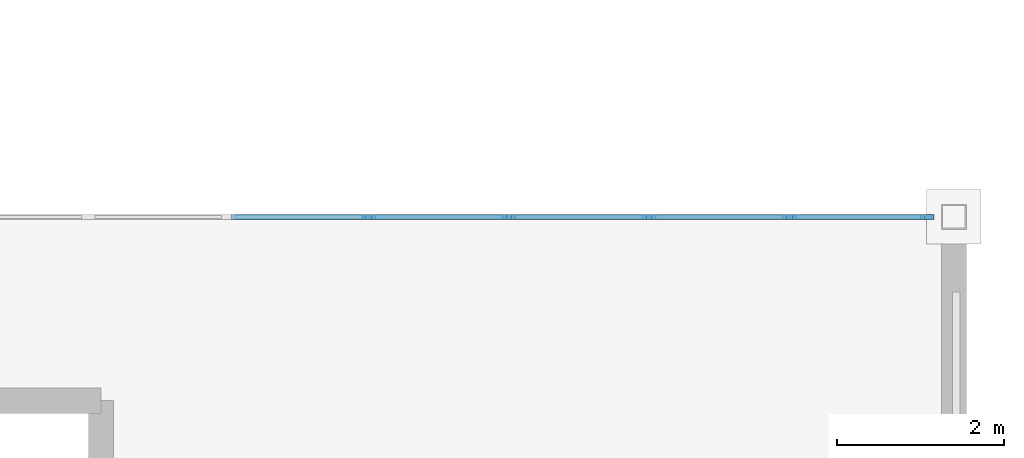
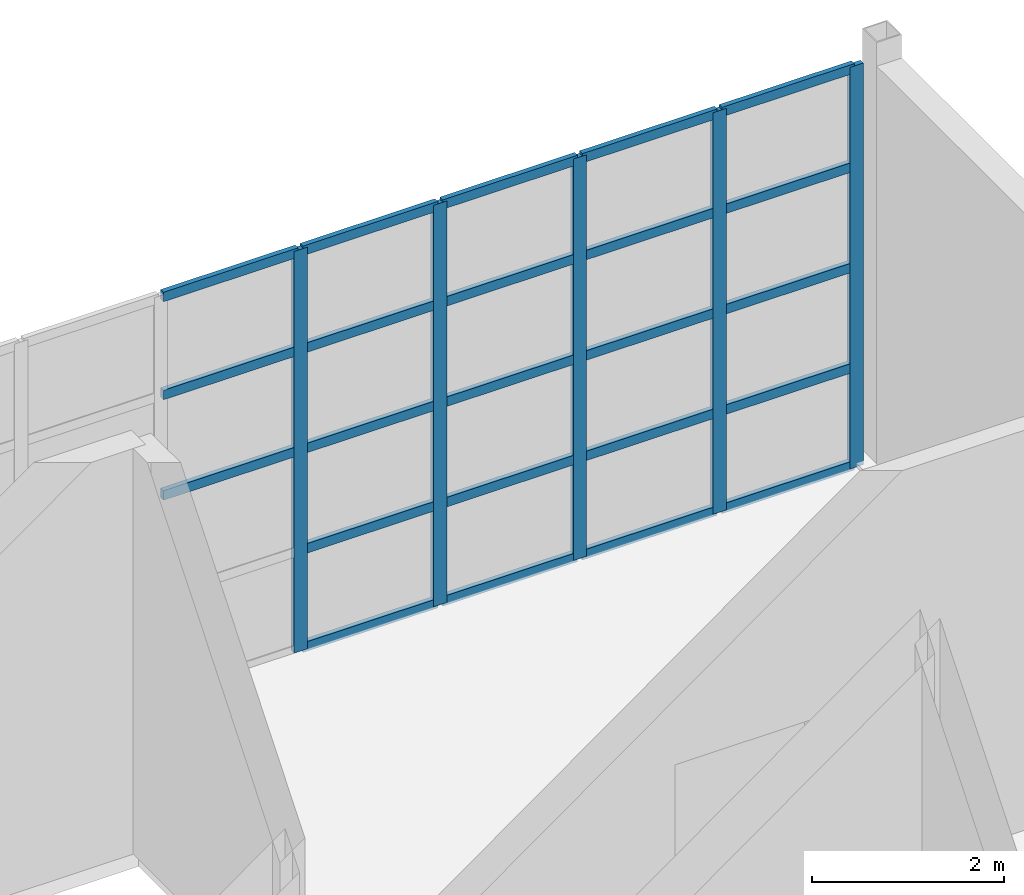
# One storey, part 46 of 82: 28 members, 1 element without a shape of its own.
"""IFC4 building model written with IfcOpenShell, lengths in metres."""

from ifc_helpers import new_model, si_unit, direction, frame, origin, origin_2d, place, context, subcontext, project, spatial, rectangle, extrude, material, material_profile, profile_set, type_object, element, aggregate, save


model = new_model("IFC4")

# Units and contexts
model_context = context("Model", 3, precision=1e-05, world=origin(), true_north=direction((0.0, 1.0)))
body_context = subcontext(model_context, "Body", "Model", "MODEL_VIEW")
ifc_project = project(units=[si_unit("LENGTHUNIT", "METRE"), si_unit("AREAUNIT", "SQUARE_METRE"), si_unit("VOLUMEUNIT", "CUBIC_METRE"), si_unit("PLANEANGLEUNIT", "RADIAN"), si_unit("MASSUNIT", "GRAM", prefix="KILO")], contexts=[model_context])

# Site, building, storey
site_placement = place(None, origin())
site = spatial("IfcSite", under=ifc_project, at=site_placement, CompositionType="ELEMENT")
building_placement = place(site_placement, origin())
building = spatial("IfcBuilding", under=site, at=building_placement, Name="Serraluz Foothill Cableway Terminal", CompositionType="ELEMENT")
storey_placement = place(building_placement, frame((0.0, 0.0, 9.60009765625)))
storey = spatial("IfcBuildingStorey", under=building, at=storey_placement, Name="L02", CompositionType="ELEMENT", Elevation=9.60009765625)

# Curtain wall, members
ifc_material = material(Name="Architectural bronze alloy C28000", Category="aluminium")
curtain_wall_type = type_object("IfcCurtainWallType", Name="TYP-CW-1280X440", PredefinedType="NOTDEFINED", material=ifc_material)
curtain_wall_placement = place(storey_placement, origin())
curtain_wall = element("IfcCurtainWall", 1, at=curtain_wall_placement, inside=storey, type_object=curtain_wall_type, Name="Ribbed Glazed Curtain Wall CW-V2N-L02", PredefinedType="NOTDEFINED")
ifc_material_profile_1 = material_profile(ifc_material, rectangle(XDim=0.06005859375, YDim=0.159912109375, at=origin_2d()), Name="ALU MULLION 60x160")
ifc_profile_set_1 = profile_set([ifc_material_profile_1], Name="Architectural bronze alloy C28000")
member_type_1 = type_object("IfcMemberType", Name="TYP-CW-MUL-60X160", PredefinedType="MULLION", material=ifc_profile_set_1)
member_1_placement = place(storey_placement, frame((167.0, 72.0, 0.0), z_axis=(0.0, 0.0, 1.0), x_axis=(0.0, 1.0, 0.0)))
member_1 = element("IfcMember", 2, at=member_1_placement, type_object=member_type_1, Name="CW-22 mullion 5", PredefinedType="MULLION", context=body_context, shape_type="SweptSolid", body=[
    extrude(rectangle(XDim=0.06005859375, YDim=0.159912109375, at=origin_2d()), origin(), (0.0, 0.0, 1.0), 5.099853515625),
])
member_2_placement = place(storey_placement, frame((168.677490234375, 72.0, 0.0), z_axis=(0.0, 0.0, 1.0), x_axis=(0.0, 1.0, 0.0)))
member_2 = element("IfcMember", 3, at=member_2_placement, type_object=member_type_1, Name="CW-22 mullion 6", PredefinedType="MULLION", context=body_context, shape_type="SweptSolid", body=[
    extrude(rectangle(XDim=0.06005859375, YDim=0.159912109375, at=origin_2d()), origin(), (0.0, 0.0, 1.0), 5.099853515625),
])
member_3_placement = place(storey_placement, frame((170.35498046875, 72.0, 0.0), z_axis=(0.0, 0.0, 1.0), x_axis=(0.0, 1.0, 0.0)))
member_3 = element("IfcMember", 4, at=member_3_placement, type_object=member_type_1, Name="CW-22 mullion 7", PredefinedType="MULLION", context=body_context, shape_type="SweptSolid", body=[
    extrude(rectangle(XDim=0.06005859375, YDim=0.159912109375, at=origin_2d()), origin(), (0.0, 0.0, 1.0), 5.099853515625),
])
member_4_placement = place(storey_placement, frame((172.032470703125, 72.0, 0.0), z_axis=(0.0, 0.0, 1.0), x_axis=(0.0, 1.0, 0.0)))
member_4 = element("IfcMember", 5, at=member_4_placement, type_object=member_type_1, Name="CW-22 mullion 8", PredefinedType="MULLION", context=body_context, shape_type="SweptSolid", body=[
    extrude(rectangle(XDim=0.06005859375, YDim=0.159912109375, at=origin_2d()), origin(), (0.0, 0.0, 1.0), 5.099853515625),
])
member_5_placement = place(storey_placement, frame((173.679931640625, 72.0, 0.0), z_axis=(0.0, 0.0, 1.0), x_axis=(0.0, 1.0, 0.0)))
member_5 = element("IfcMember", 6, at=member_5_placement, type_object=member_type_1, Name="CW-22 mullion 9", PredefinedType="MULLION", context=body_context, shape_type="SweptSolid", body=[
    extrude(rectangle(XDim=0.06005859375, YDim=0.159912109375, at=origin_2d()), origin(), (0.0, 0.0, 1.0), 5.099853515625),
])
ifc_material_profile_2 = material_profile(ifc_material, rectangle(XDim=0.06005859375, YDim=0.1201171875, at=origin_2d()), Name="ALU TRANSOM 60x120")
ifc_profile_set_2 = profile_set([ifc_material_profile_2], Name="Architectural bronze alloy C28000")
member_type_2 = type_object("IfcMemberType", Name="TYP-CW-TRN-60X120", PredefinedType="USERDEFINED", material=ifc_profile_set_2)
member_6_placement = place(storey_placement, frame((165.3525390625, 72.0, 2.5498046875), z_axis=(1.0, 0.0, 0.0), x_axis=(0.0, 1.0, 0.0)))
member_6 = element("IfcMember", 7, at=member_6_placement, type_object=member_type_2, Name="CW-22 transom 4.3", ObjectType="TRANSOM", PredefinedType="USERDEFINED", context=body_context, shape_type="SweptSolid", body=[
    extrude(rectangle(XDim=0.06005859375, YDim=0.1201171875, at=origin_2d()), origin(), (0.0, 0.0, 1.0), 1.617431640625),
])
member_7_placement = place(storey_placement, frame((165.3525390625, 72.0, 3.824951171875), z_axis=(1.0, 0.0, 0.0), x_axis=(0.0, 1.0, 0.0)))
member_7 = element("IfcMember", 8, at=member_7_placement, type_object=member_type_2, Name="CW-22 transom 4.4", ObjectType="TRANSOM", PredefinedType="USERDEFINED", context=body_context, shape_type="SweptSolid", body=[
    extrude(rectangle(XDim=0.06005859375, YDim=0.1201171875, at=origin_2d()), origin(), (0.0, 0.0, 1.0), 1.617431640625),
])
member_8_placement = place(storey_placement, frame((165.3525390625, 72.0, 5.06982421875), z_axis=(1.0, 0.0, 0.0), x_axis=(0.0, 1.0, 0.0)))
member_8 = element("IfcMember", 9, at=member_8_placement, type_object=member_type_2, Name="CW-22 transom 4.5", ObjectType="TRANSOM", PredefinedType="USERDEFINED", context=body_context, shape_type="SweptSolid", body=[
    extrude(rectangle(XDim=0.06005859375, YDim=0.1201171875, at=origin_2d()), origin(), (0.0, 0.0, 1.0), 1.617431640625),
])
member_9_placement = place(storey_placement, frame((167.030029296875, 72.0, 0.02978515625), z_axis=(1.0, 0.0, 0.0), x_axis=(0.0, 1.0, 0.0)))
member_9 = element("IfcMember", 10, at=member_9_placement, type_object=member_type_2, Name="CW-22 transom 5.1", ObjectType="TRANSOM", PredefinedType="USERDEFINED", context=body_context, shape_type="SweptSolid", body=[
    extrude(rectangle(XDim=0.06005859375, YDim=0.1201171875, at=origin_2d()), origin(), (0.0, 0.0, 1.0), 1.617431640625),
])
member_10_placement = place(storey_placement, frame((167.030029296875, 72.0, 1.27490234375), z_axis=(1.0, 0.0, 0.0), x_axis=(0.0, 1.0, 0.0)))
member_10 = element("IfcMember", 11, at=member_10_placement, type_object=member_type_2, Name="CW-22 transom 5.2", ObjectType="TRANSOM", PredefinedType="USERDEFINED", context=body_context, shape_type="SweptSolid", body=[
    extrude(rectangle(XDim=0.06005859375, YDim=0.1201171875, at=origin_2d()), origin(), (0.0, 0.0, 1.0), 1.617431640625),
])
member_11_placement = place(storey_placement, frame((167.030029296875, 72.0, 2.5498046875), z_axis=(1.0, 0.0, 0.0), x_axis=(0.0, 1.0, 0.0)))
member_11 = element("IfcMember", 12, at=member_11_placement, type_object=member_type_2, Name="CW-22 transom 5.3", ObjectType="TRANSOM", PredefinedType="USERDEFINED", context=body_context, shape_type="SweptSolid", body=[
    extrude(rectangle(XDim=0.06005859375, YDim=0.1201171875, at=origin_2d()), origin(), (0.0, 0.0, 1.0), 1.617431640625),
])
member_12_placement = place(storey_placement, frame((167.030029296875, 72.0, 3.824951171875), z_axis=(1.0, 0.0, 0.0), x_axis=(0.0, 1.0, 0.0)))
member_12 = element("IfcMember", 13, at=member_12_placement, type_object=member_type_2, Name="CW-22 transom 5.4", ObjectType="TRANSOM", PredefinedType="USERDEFINED", context=body_context, shape_type="SweptSolid", body=[
    extrude(rectangle(XDim=0.06005859375, YDim=0.1201171875, at=origin_2d()), origin(), (0.0, 0.0, 1.0), 1.617431640625),
])
member_13_placement = place(storey_placement, frame((167.030029296875, 72.0, 5.06982421875), z_axis=(1.0, 0.0, 0.0), x_axis=(0.0, 1.0, 0.0)))
member_13 = element("IfcMember", 14, at=member_13_placement, type_object=member_type_2, Name="CW-22 transom 5.5", ObjectType="TRANSOM", PredefinedType="USERDEFINED", context=body_context, shape_type="SweptSolid", body=[
    extrude(rectangle(XDim=0.06005859375, YDim=0.1201171875, at=origin_2d()), origin(), (0.0, 0.0, 1.0), 1.617431640625),
])
member_14_placement = place(storey_placement, frame((168.70751953125, 72.0, 0.02978515625), z_axis=(1.0, 0.0, 0.0), x_axis=(0.0, 1.0, 0.0)))
member_14 = element("IfcMember", 15, at=member_14_placement, type_object=member_type_2, Name="CW-22 transom 6.1", ObjectType="TRANSOM", PredefinedType="USERDEFINED", context=body_context, shape_type="SweptSolid", body=[
    extrude(rectangle(XDim=0.06005859375, YDim=0.1201171875, at=origin_2d()), origin(), (0.0, 0.0, 1.0), 1.617431640625),
])
member_15_placement = place(storey_placement, frame((168.70751953125, 72.0, 1.27490234375), z_axis=(1.0, 0.0, 0.0), x_axis=(0.0, 1.0, 0.0)))
member_15 = element("IfcMember", 16, at=member_15_placement, type_object=member_type_2, Name="CW-22 transom 6.2", ObjectType="TRANSOM", PredefinedType="USERDEFINED", context=body_context, shape_type="SweptSolid", body=[
    extrude(rectangle(XDim=0.06005859375, YDim=0.1201171875, at=origin_2d()), origin(), (0.0, 0.0, 1.0), 1.617431640625),
])
member_16_placement = place(storey_placement, frame((168.70751953125, 72.0, 2.5498046875), z_axis=(1.0, 0.0, 0.0), x_axis=(0.0, 1.0, 0.0)))
member_16 = element("IfcMember", 17, at=member_16_placement, type_object=member_type_2, Name="CW-22 transom 6.3", ObjectType="TRANSOM", PredefinedType="USERDEFINED", context=body_context, shape_type="SweptSolid", body=[
    extrude(rectangle(XDim=0.06005859375, YDim=0.1201171875, at=origin_2d()), origin(), (0.0, 0.0, 1.0), 1.617431640625),
])
member_17_placement = place(storey_placement, frame((168.70751953125, 72.0, 3.824951171875), z_axis=(1.0, 0.0, 0.0), x_axis=(0.0, 1.0, 0.0)))
member_17 = element("IfcMember", 18, at=member_17_placement, type_object=member_type_2, Name="CW-22 transom 6.4", ObjectType="TRANSOM", PredefinedType="USERDEFINED", context=body_context, shape_type="SweptSolid", body=[
    extrude(rectangle(XDim=0.06005859375, YDim=0.1201171875, at=origin_2d()), origin(), (0.0, 0.0, 1.0), 1.617431640625),
])
member_18_placement = place(storey_placement, frame((168.70751953125, 72.0, 5.06982421875), z_axis=(1.0, 0.0, 0.0), x_axis=(0.0, 1.0, 0.0)))
member_18 = element("IfcMember", 19, at=member_18_placement, type_object=member_type_2, Name="CW-22 transom 6.5", ObjectType="TRANSOM", PredefinedType="USERDEFINED", context=body_context, shape_type="SweptSolid", body=[
    extrude(rectangle(XDim=0.06005859375, YDim=0.1201171875, at=origin_2d()), origin(), (0.0, 0.0, 1.0), 1.617431640625),
])
member_19_placement = place(storey_placement, frame((170.385009765625, 72.0, 0.02978515625), z_axis=(1.0, 0.0, 0.0), x_axis=(0.0, 1.0, 0.0)))
member_19 = element("IfcMember", 20, at=member_19_placement, type_object=member_type_2, Name="CW-22 transom 7.1", ObjectType="TRANSOM", PredefinedType="USERDEFINED", context=body_context, shape_type="SweptSolid", body=[
    extrude(rectangle(XDim=0.06005859375, YDim=0.1201171875, at=origin_2d()), origin(), (0.0, 0.0, 1.0), 1.617431640625),
])
member_20_placement = place(storey_placement, frame((170.385009765625, 72.0, 1.27490234375), z_axis=(1.0, 0.0, 0.0), x_axis=(0.0, 1.0, 0.0)))
member_20 = element("IfcMember", 21, at=member_20_placement, type_object=member_type_2, Name="CW-22 transom 7.2", ObjectType="TRANSOM", PredefinedType="USERDEFINED", context=body_context, shape_type="SweptSolid", body=[
    extrude(rectangle(XDim=0.06005859375, YDim=0.1201171875, at=origin_2d()), origin(), (0.0, 0.0, 1.0), 1.617431640625),
])
member_21_placement = place(storey_placement, frame((170.385009765625, 72.0, 2.5498046875), z_axis=(1.0, 0.0, 0.0), x_axis=(0.0, 1.0, 0.0)))
member_21 = element("IfcMember", 22, at=member_21_placement, type_object=member_type_2, Name="CW-22 transom 7.3", ObjectType="TRANSOM", PredefinedType="USERDEFINED", context=body_context, shape_type="SweptSolid", body=[
    extrude(rectangle(XDim=0.06005859375, YDim=0.1201171875, at=origin_2d()), origin(), (0.0, 0.0, 1.0), 1.617431640625),
])
member_22_placement = place(storey_placement, frame((170.385009765625, 72.0, 3.824951171875), z_axis=(1.0, 0.0, 0.0), x_axis=(0.0, 1.0, 0.0)))
member_22 = element("IfcMember", 23, at=member_22_placement, type_object=member_type_2, Name="CW-22 transom 7.4", ObjectType="TRANSOM", PredefinedType="USERDEFINED", context=body_context, shape_type="SweptSolid", body=[
    extrude(rectangle(XDim=0.06005859375, YDim=0.1201171875, at=origin_2d()), origin(), (0.0, 0.0, 1.0), 1.617431640625),
])
member_23_placement = place(storey_placement, frame((170.385009765625, 72.0, 5.06982421875), z_axis=(1.0, 0.0, 0.0), x_axis=(0.0, 1.0, 0.0)))
member_23 = element("IfcMember", 24, at=member_23_placement, type_object=member_type_2, Name="CW-22 transom 7.5", ObjectType="TRANSOM", PredefinedType="USERDEFINED", context=body_context, shape_type="SweptSolid", body=[
    extrude(rectangle(XDim=0.06005859375, YDim=0.1201171875, at=origin_2d()), origin(), (0.0, 0.0, 1.0), 1.617431640625),
])
member_24_placement = place(storey_placement, frame((172.0625, 72.0, 0.02978515625), z_axis=(1.0, 0.0, 0.0), x_axis=(0.0, 1.0, 0.0)))
member_24 = element("IfcMember", 25, at=member_24_placement, type_object=member_type_2, Name="CW-22 transom 8.1", ObjectType="TRANSOM", PredefinedType="USERDEFINED", context=body_context, shape_type="SweptSolid", body=[
    extrude(rectangle(XDim=0.06005859375, YDim=0.1201171875, at=origin_2d()), origin(), (0.0, 0.0, 1.0), 1.58740234375),
])
member_25_placement = place(storey_placement, frame((172.0625, 72.0, 1.27490234375), z_axis=(1.0, 0.0, 0.0), x_axis=(0.0, 1.0, 0.0)))
member_25 = element("IfcMember", 26, at=member_25_placement, type_object=member_type_2, Name="CW-22 transom 8.2", ObjectType="TRANSOM", PredefinedType="USERDEFINED", context=body_context, shape_type="SweptSolid", body=[
    extrude(rectangle(XDim=0.06005859375, YDim=0.1201171875, at=origin_2d()), origin(), (0.0, 0.0, 1.0), 1.58740234375),
])
member_26_placement = place(storey_placement, frame((172.0625, 72.0, 2.5498046875), z_axis=(1.0, 0.0, 0.0), x_axis=(0.0, 1.0, 0.0)))
member_26 = element("IfcMember", 27, at=member_26_placement, type_object=member_type_2, Name="CW-22 transom 8.3", ObjectType="TRANSOM", PredefinedType="USERDEFINED", context=body_context, shape_type="SweptSolid", body=[
    extrude(rectangle(XDim=0.06005859375, YDim=0.1201171875, at=origin_2d()), origin(), (0.0, 0.0, 1.0), 1.58740234375),
])
member_27_placement = place(storey_placement, frame((172.0625, 72.0, 3.824951171875), z_axis=(1.0, 0.0, 0.0), x_axis=(0.0, 1.0, 0.0)))
member_27 = element("IfcMember", 28, at=member_27_placement, type_object=member_type_2, Name="CW-22 transom 8.4", ObjectType="TRANSOM", PredefinedType="USERDEFINED", context=body_context, shape_type="SweptSolid", body=[
    extrude(rectangle(XDim=0.06005859375, YDim=0.1201171875, at=origin_2d()), origin(), (0.0, 0.0, 1.0), 1.58740234375),
])
member_28_placement = place(storey_placement, frame((172.0625, 72.0, 5.06982421875), z_axis=(1.0, 0.0, 0.0), x_axis=(0.0, 1.0, 0.0)))
member_28 = element("IfcMember", 29, at=member_28_placement, type_object=member_type_2, Name="CW-22 transom 8.5", ObjectType="TRANSOM", PredefinedType="USERDEFINED", context=body_context, shape_type="SweptSolid", body=[
    extrude(rectangle(XDim=0.06005859375, YDim=0.1201171875, at=origin_2d()), origin(), (0.0, 0.0, 1.0), 1.58740234375),
])
aggregate(curtain_wall, [member_1, member_2, member_3, member_4, member_5, member_6, member_7, member_8, member_9, member_10, member_11, member_12, member_13, member_14, member_15, member_16, member_17, member_18, member_19, member_20, member_21, member_22, member_23, member_24, member_25, member_26, member_27, member_28])

save(model, "model.ifc")
